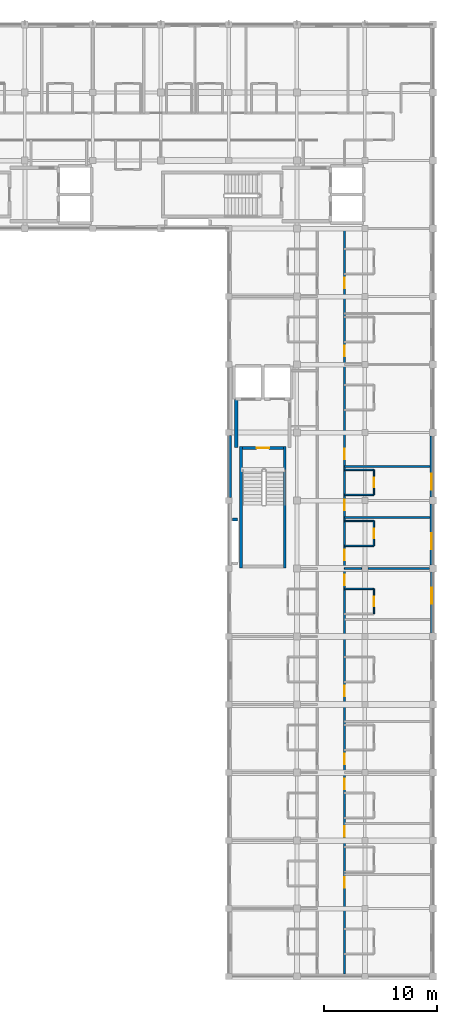
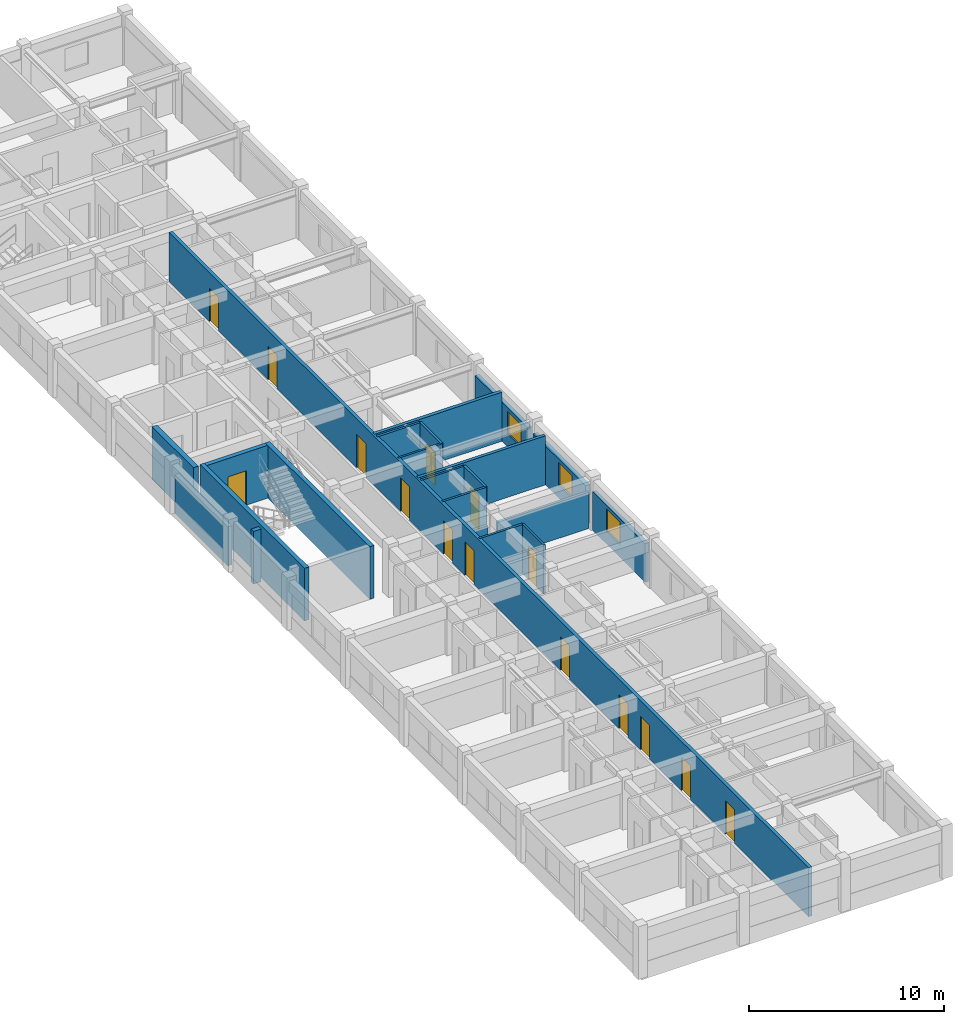
# One storey, part 6 of 21: 22 walls, 15 doors, 3 windows, 18 openings.
"""IFC4 building model written with IfcOpenShell, lengths in metres."""

from ifc_helpers import new_model, si_unit, direction, frame, frame_2d, origin, place, context, subcontext, project, spatial, rectangle, extrude, material, layer, layer_set, type_object, element, fill, save


model = new_model("IFC4")

# Units and contexts
model_context = context("Model", 3, precision=1e-05, world=origin(), true_north=direction((0.0, 1.0)))
body_context = subcontext(model_context, "Body", "Model", "MODEL_VIEW")
ifc_project = project(units=[si_unit("LENGTHUNIT", "METRE"), si_unit("AREAUNIT", "SQUARE_METRE"), si_unit("VOLUMEUNIT", "CUBIC_METRE"), si_unit("PLANEANGLEUNIT", "RADIAN"), si_unit("MASSUNIT", "GRAM", prefix="KILO"), si_unit("THERMODYNAMICTEMPERATUREUNIT", "KELVIN"), si_unit("POWERUNIT", "WATT")], contexts=[model_context])

# Site, building, storey
site_placement = place(None, origin())
site = spatial("IfcSite", under=ifc_project, at=site_placement, CompositionType="ELEMENT")
building_placement = place(site_placement, origin())
building = spatial("IfcBuilding", under=site, at=building_placement, Name="Phaisarnlok Congress Hotel", CompositionType="ELEMENT")
storey_placement = place(building_placement, frame((0.0, 0.0, 34.800048828125)))
storey = spatial("IfcBuildingStorey", under=building, at=storey_placement, Name="L08", CompositionType="ELEMENT", Elevation=34.800048828125)

# Wall, opening, window
ifc_material_1 = material(Name="Concrete C40/50", Category="concrete")
ifc_layer_1 = layer(ifc_material_1, 0.2099609375, Name="Concrete C40/50")
ifc_layer_set_1 = layer_set([ifc_layer_1], Name="Concrete C40/50")
wall_type_1 = type_object("IfcWallType", Name="WL-EXT-210", PredefinedType="SOLIDWALL", material=ifc_layer_set_1)
wall_1_placement = place(storey_placement, frame((179.89501953125, 72.304931640625, 0.0), z_axis=(0.0, 0.0, 1.0), x_axis=(0.0, 1.0, 0.0)))
wall_1 = element("IfcWall", 1, at=wall_1_placement, inside=storey, type_object=wall_type_1, Name="Exterior wall EW-07 (L08)", PredefinedType="SOLIDWALL", context=body_context, shape_type="SweptSolid", body=[
    extrude(rectangle(XDim=5.39013671875, YDim=0.2099609375, at=frame_2d((2.695068359375, 0.0))), origin(), (0.0, 0.0, 1.0), 2.419921875),
])
opening_1_placement = place(wall_1_placement, frame((2.58203125, 0.0, 0.800048828125)))
opening_1 = element("IfcOpeningElement", 2, at=opening_1_placement, cuts=wall_1, Name="Opening W-13", PredefinedType="OPENING", context=body_context, shape_type="SweptSolid", body=[
    extrude(rectangle(XDim=1.39990234375, YDim=1.39990234375, at=frame_2d((0.699951171875, 0.699951171875))), frame((0.0, 0.114990234375, 0.0), z_axis=(0.0, -1.0, 0.0), x_axis=(1.0, 0.0, 0.0)), (0.0, 0.0, 1.0), 0.22998046875),
])
ifc_material_2 = material(Name="Thermally Broken Aluminium & Low-E Double Glazing", Category="aluminium")
window_type = type_object("IfcWindowType", Name="WIN-POD-1400", PartitioningType="SINGLE_PANEL", PredefinedType="WINDOW", material=ifc_material_2)
window_1_placement = place(opening_1_placement, origin())
window_1 = element("IfcWindow", 3, at=window_1_placement, inside=storey, type_object=window_type, Name="Guestroom window W-13 (L08)", OverallHeight=1.39990234375, OverallWidth=1.39990234375, PartitioningType="SINGLE_PANEL", PredefinedType="WINDOW", context=body_context, shape_type="SweptSolid", body=[
    extrude(rectangle(XDim=1.39990234375, YDim=1.39990234375, at=frame_2d((0.699951171875, 0.699951171875))), frame((0.0, 0.030029296875, 0.0), z_axis=(0.0, -1.0, 0.0), x_axis=(1.0, 0.0, 0.0)), (0.0, 0.0, 1.0), 0.06005859375),
])
fill(opening_1, window_1)

ifc_layer_2 = layer(ifc_material_1, 0.25, Name="Concrete C40/50")
ifc_layer_set_2 = layer_set([ifc_layer_2], Name="Concrete C40/50")
wall_type_2 = type_object("IfcWallType", Name="WL-EXT-250", PredefinedType="SOLIDWALL", material=ifc_layer_set_2)
wall_2_placement = place(storey_placement, frame((179.875, 84.304931640625, 0.0), z_axis=(0.0, 0.0, 1.0), x_axis=(0.0, 1.0, 0.0)))
wall_2 = element("IfcWall", 4, at=wall_2_placement, inside=storey, type_object=wall_type_2, Name="Exterior wall EW-05 (L08)", PredefinedType="SOLIDWALL", context=body_context, shape_type="SweptSolid", body=[
    extrude(rectangle(XDim=5.39013671875, YDim=0.25, at=frame_2d((2.695068359375, 0.0))), origin(), (0.0, 0.0, 1.0), 2.419921875),
])
opening_2_placement = place(wall_2_placement, frame((0.656982421875, 0.0, 0.800048828125)))
opening_2 = element("IfcOpeningElement", 5, at=opening_2_placement, cuts=wall_2, Name="Opening W-13", PredefinedType="OPENING", context=body_context, shape_type="SweptSolid", body=[
    extrude(rectangle(XDim=1.39990234375, YDim=1.39990234375, at=frame_2d((0.699951171875, 0.699951171875))), frame((0.0, 0.135009765625, 0.0), z_axis=(0.0, -1.0, 0.0), x_axis=(1.0, 0.0, 0.0)), (0.0, 0.0, 1.0), 0.27001953125),
])
window_2_placement = place(opening_2_placement, origin())
window_2 = element("IfcWindow", 6, at=window_2_placement, inside=storey, type_object=window_type, Name="Guestroom window W-13 (L08)", OverallHeight=1.39990234375, OverallWidth=1.39990234375, PartitioningType="SINGLE_PANEL", PredefinedType="WINDOW", context=body_context, shape_type="SweptSolid", body=[
    extrude(rectangle(XDim=1.39990234375, YDim=1.39990234375, at=frame_2d((0.699951171875, 0.699951171875))), frame((0.0, 0.030029296875, 0.0), z_axis=(0.0, -1.0, 0.0), x_axis=(1.0, 0.0, 0.0)), (0.0, 0.0, 1.0), 0.06005859375),
])
fill(opening_2, window_2)

# Wall
wall_3_placement = place(storey_placement, frame((162.125, 89.719970703125, 0.0), z_axis=(0.0, 0.0, 1.0), x_axis=(0.0, -1.0, 0.0)))
element("IfcWall", 7, at=wall_3_placement, inside=storey, type_object=wall_type_2, Name="Exterior wall EW-05 (L08)", PredefinedType="SOLIDWALL", context=body_context, shape_type="SweptSolid", body=[
    extrude(rectangle(XDim=5.43994140625, YDim=0.25, at=frame_2d((2.719970703125, 0.0))), origin(), (0.0, 0.0, 1.0), 2.419921875),
])

# Wall, opening, window
ifc_layer_3 = layer(ifc_material_1, 0.27001953125, Name="Concrete C40/50")
ifc_layer_set_3 = layer_set([ifc_layer_3], Name="Concrete C40/50")
wall_type_3 = type_object("IfcWallType", Name="WL-EXT-270", PredefinedType="SOLIDWALL", material=ifc_layer_set_3)
wall_4_placement = place(storey_placement, frame((179.864990234375, 78.304931640625, 0.0), z_axis=(0.0, 0.0, 1.0), x_axis=(0.0, 1.0, 0.0)))
wall_4 = element("IfcWall", 8, at=wall_4_placement, inside=storey, type_object=wall_type_3, Name="Exterior wall EW-04 (L08)", PredefinedType="SOLIDWALL", context=body_context, shape_type="SweptSolid", body=[
    extrude(rectangle(XDim=5.39013671875, YDim=0.27001953125, at=frame_2d((2.695068359375, 0.0))), origin(), (0.0, 0.0, 1.0), 2.419921875),
])
opening_3_placement = place(wall_4_placement, frame((1.406982421875, 0.0, 0.800048828125)))
opening_3 = element("IfcOpeningElement", 9, at=opening_3_placement, cuts=wall_4, Name="Opening W-13", PredefinedType="OPENING", context=body_context, shape_type="SweptSolid", body=[
    extrude(rectangle(XDim=1.39990234375, YDim=1.39990234375, at=frame_2d((0.699951171875, 0.699951171875))), frame((0.0, 0.14501953125, 0.0), z_axis=(0.0, -1.0, 0.0), x_axis=(1.0, 0.0, 0.0)), (0.0, 0.0, 1.0), 0.2900390625),
])
window_3_placement = place(opening_3_placement, origin())
window_3 = element("IfcWindow", 10, at=window_3_placement, inside=storey, type_object=window_type, Name="Guestroom window W-13 (L08)", OverallHeight=1.39990234375, OverallWidth=1.39990234375, PartitioningType="SINGLE_PANEL", PredefinedType="WINDOW", context=body_context, shape_type="SweptSolid", body=[
    extrude(rectangle(XDim=1.39990234375, YDim=1.39990234375, at=frame_2d((0.699951171875, 0.699951171875))), frame((0.0, 0.030029296875, 0.0), z_axis=(0.0, -1.0, 0.0), x_axis=(1.0, 0.0, 0.0)), (0.0, 0.0, 1.0), 0.06005859375),
])
fill(opening_3, window_3)

# Wall, opening, door
ifc_material_3 = material(Name="Lightweight Metal-Stud Gypsum Partition", Category="gypsum")
ifc_layer_4 = layer(ifc_material_3, 0.1201171875, Name="Lightweight Metal-Stud Gypsum Partition")
ifc_layer_set_4 = layer_set([ifc_layer_4], Name="Lightweight Metal-Stud Gypsum Partition")
wall_type_4 = type_object("IfcWallType", Name="WL-INT-120", PredefinedType="PARTITIONING", material=ifc_layer_set_4)
wall_5_placement = place(storey_placement, frame((174.800048828125, 74.0, 0.0), z_axis=(0.0, 0.0, 1.0), x_axis=(0.0, 1.0, 0.0)))
wall_5 = element("IfcWall", 11, at=wall_5_placement, inside=storey, type_object=wall_type_4, Name="Interior partition wall IW-07 (L08)", PredefinedType="PARTITIONING", context=body_context, shape_type="SweptSolid", body=[
    extrude(rectangle(XDim=2.199951171875, YDim=0.1201171875, at=frame_2d((1.10009765625, 0.0))), origin(), (0.0, 0.0, 1.0), 3.070068359375),
])
opening_4_placement = place(wall_5_placement, frame((0.675048828125, 0.0, 0.0)))
opening_4 = element("IfcOpeningElement", 12, at=opening_4_placement, cuts=wall_5, Name="Opening D-0457", PredefinedType="OPENING", context=body_context, shape_type="SweptSolid", body=[
    extrude(rectangle(XDim=0.85009765625, YDim=2.10009765625, at=frame_2d((0.425048828125, 1.050048828125))), frame((0.0, 0.070068359375, 0.0), z_axis=(0.0, -1.0, 0.0), x_axis=(1.0, 0.0, 0.0)), (0.0, 0.0, 1.0), 0.14013671875),
])
ifc_material_4 = material(Name="Moisture-Resistant Lacquered Timber", Category="wood")
door_type_1 = type_object("IfcDoorType", Name="DR-BATH-850", OperationType="NOTDEFINED", PredefinedType="DOOR", material=ifc_material_4)
door_1_placement = place(opening_4_placement, origin())
door_1 = element("IfcDoor", 13, at=door_1_placement, inside=storey, type_object=door_type_1, Name="Interior door D-0457 (L08)", OperationType="SINGLE_SWING_RIGHT", OverallHeight=2.10009765625, OverallWidth=0.85009765625, PredefinedType="DOOR", context=body_context, shape_type="SweptSolid", body=[
    extrude(rectangle(XDim=0.85009765625, YDim=2.10009765625, at=frame_2d((0.425048828125, 1.050048828125))), frame((0.0, 0.02490234375, 0.0), z_axis=(0.0, -1.0, 0.0), x_axis=(1.0, 0.0, 0.0)), (0.0, 0.0, 1.0), 0.050048828125),
])
fill(opening_4, door_1)

wall_6_placement = place(storey_placement, frame((174.800048828125, 84.5, 0.0), z_axis=(0.0, 0.0, 1.0), x_axis=(0.0, 1.0, 0.0)))
wall_6 = element("IfcWall", 14, at=wall_6_placement, inside=storey, type_object=wall_type_4, Name="Interior partition wall IW-07 (L08)", PredefinedType="PARTITIONING", context=body_context, shape_type="SweptSolid", body=[
    extrude(rectangle(XDim=2.199951171875, YDim=0.1201171875, at=frame_2d((1.10009765625, 0.0))), origin(), (0.0, 0.0, 1.0), 3.070068359375),
])
opening_5_placement = place(wall_6_placement, frame((0.675048828125, 0.0, 0.0)))
opening_5 = element("IfcOpeningElement", 15, at=opening_5_placement, cuts=wall_6, Name="Opening D-0461", PredefinedType="OPENING", context=body_context, shape_type="SweptSolid", body=[
    extrude(rectangle(XDim=0.85009765625, YDim=2.10009765625, at=frame_2d((0.425048828125, 1.050048828125))), frame((0.0, 0.070068359375, 0.0), z_axis=(0.0, -1.0, 0.0), x_axis=(1.0, 0.0, 0.0)), (0.0, 0.0, 1.0), 0.14013671875),
])
door_2_placement = place(opening_5_placement, origin())
door_2 = element("IfcDoor", 16, at=door_2_placement, inside=storey, type_object=door_type_1, Name="Interior door D-0461 (L08)", OperationType="SINGLE_SWING_RIGHT", OverallHeight=2.10009765625, OverallWidth=0.85009765625, PredefinedType="DOOR", context=body_context, shape_type="SweptSolid", body=[
    extrude(rectangle(XDim=0.85009765625, YDim=2.10009765625, at=frame_2d((0.425048828125, 1.050048828125))), frame((0.0, 0.02490234375, 0.0), z_axis=(0.0, -1.0, 0.0), x_axis=(1.0, 0.0, 0.0)), (0.0, 0.0, 1.0), 0.050048828125),
])
fill(opening_5, door_2)

# Walls
for number, where, z_axis, x_axis, name in (
    (17, (172.199951171875, 82.199951171875, 0.0), (0.0, 0.0, 1.0), (1.0, 0.0, 0.0), "Interior partition wall IW-07 (L08)"),
    (18, (172.199951171875, 84.5, 0.0), (0.0, 0.0, 1.0), (1.0, 0.0, 0.0), "Interior partition wall IW-07 (L08)"),
):
    element("IfcWall", number, at=place(storey_placement, frame(where, z_axis=z_axis, x_axis=x_axis)), inside=storey, type_object=wall_type_4, Name=name, PredefinedType="PARTITIONING", context=body_context, shape_type="SweptSolid", body=[
        extrude(rectangle(XDim=2.60009765625, YDim=0.1201171875, at=frame_2d((1.300048828125, 0.0))), origin(), (0.0, 0.0, 1.0), 3.070068359375),
    ])

# Wall, opening, door
ifc_material_5 = material(Name="Moisture-Resistant Gypsum Partition", Category="gypsum")
ifc_layer_5 = layer(ifc_material_5, 0.135009765625, Name="Moisture-Resistant Gypsum Partition")
ifc_layer_set_5 = layer_set([ifc_layer_5], Name="Moisture-Resistant Gypsum Partition")
wall_type_5 = type_object("IfcWallType", Name="WL-INT-135", PredefinedType="PARTITIONING", material=ifc_layer_set_5)
wall_7_placement = place(storey_placement, frame((174.800048828125, 80.0, 0.0), z_axis=(0.0, 0.0, 1.0), x_axis=(0.0, 1.0, 0.0)))
wall_7 = element("IfcWall", 19, at=wall_7_placement, inside=storey, type_object=wall_type_5, Name="Interior partition wall IW-06 (L08)", PredefinedType="PARTITIONING", context=body_context, shape_type="SweptSolid", body=[
    extrude(rectangle(XDim=2.199951171875, YDim=0.135009765625, at=frame_2d((1.10009765625, 0.0))), origin(), (0.0, 0.0, 1.0), 3.070068359375),
])
opening_6_placement = place(wall_7_placement, frame((0.675048828125, 0.0, 0.0)))
opening_6 = element("IfcOpeningElement", 20, at=opening_6_placement, cuts=wall_7, Name="Opening D-0459", PredefinedType="OPENING", context=body_context, shape_type="SweptSolid", body=[
    extrude(rectangle(XDim=0.85009765625, YDim=2.10009765625, at=frame_2d((0.425048828125, 1.050048828125))), frame((0.0, 0.07763671875, 0.0), z_axis=(0.0, -1.0, 0.0), x_axis=(1.0, 0.0, 0.0)), (0.0, 0.0, 1.0), 0.155029296875),
])
door_3_placement = place(opening_6_placement, origin())
door_3 = element("IfcDoor", 21, at=door_3_placement, inside=storey, type_object=door_type_1, Name="Interior door D-0459 (L08)", OperationType="SINGLE_SWING_RIGHT", OverallHeight=2.10009765625, OverallWidth=0.85009765625, PredefinedType="DOOR", context=body_context, shape_type="SweptSolid", body=[
    extrude(rectangle(XDim=0.85009765625, YDim=2.10009765625, at=frame_2d((0.425048828125, 1.050048828125))), frame((0.0, 0.02490234375, 0.0), z_axis=(0.0, -1.0, 0.0), x_axis=(1.0, 0.0, 0.0)), (0.0, 0.0, 1.0), 0.050048828125),
])
fill(opening_6, door_3)

# Walls
for number, where, z_axis, x_axis, name in (
    (22, (172.199951171875, 76.199951171875, 0.0), (0.0, 0.0, 1.0), (1.0, 0.0, 0.0), "Interior partition wall IW-06 (L08)"),
    (23, (172.199951171875, 80.0, 0.0), (0.0, 0.0, 1.0), (1.0, 0.0, 0.0), "Interior partition wall IW-06 (L08)"),
    (24, (172.199951171875, 86.699951171875, 0.0), (0.0, 0.0, 1.0), (1.0, 0.0, 0.0), "Interior partition wall IW-06 (L08)"),
):
    element("IfcWall", number, at=place(storey_placement, frame(where, z_axis=z_axis, x_axis=x_axis)), inside=storey, type_object=wall_type_5, Name=name, PredefinedType="PARTITIONING", context=body_context, shape_type="SweptSolid", body=[
        extrude(rectangle(XDim=2.60009765625, YDim=0.135009765625, at=frame_2d((1.300048828125, 0.0))), origin(), (0.0, 0.0, 1.0), 3.070068359375),
    ])
ifc_material_6 = material(Name="Acoustic Gypsum Board & Mineral Wool", Category="gypsum")
ifc_layer_6 = layer(ifc_material_6, 0.14990234375, Name="Acoustic Gypsum Board & Mineral Wool")
ifc_layer_set_6 = layer_set([ifc_layer_6], Name="Acoustic Gypsum Board & Mineral Wool")
wall_type_6 = type_object("IfcWallType", Name="WL-INT-150", PredefinedType="PARTITIONING", material=ifc_layer_set_6)
wall_8_placement = place(storey_placement, frame((174.280029296875, 78.0, 0.0), z_axis=(0.0, 0.0, 1.0), x_axis=(1.0, 0.0, 0.0)))
element("IfcWall", 25, at=wall_8_placement, inside=storey, type_object=wall_type_6, Name="Interior partition wall IW-05 (L08)", PredefinedType="PARTITIONING", context=body_context, shape_type="SweptSolid", body=[
    extrude(rectangle(XDim=5.4150390625, YDim=0.14990234375, at=frame_2d((2.70751953125, 0.0))), origin(), (0.0, 0.0, 1.0), 2.27001953125),
])
ifc_material_7 = material(Name="Double-Stud Acoustic Gypsum Partition", Category="gypsum")
ifc_layer_7 = layer(ifc_material_7, 0.159912109375, Name="Double-Stud Acoustic Gypsum Partition")
ifc_layer_set_7 = layer_set([ifc_layer_7], Name="Double-Stud Acoustic Gypsum Partition")
wall_type_7 = type_object("IfcWallType", Name="WL-INT-160", PredefinedType="PARTITIONING", material=ifc_layer_set_7)
wall_9_placement = place(storey_placement, frame((172.199951171875, 78.0, 0.0), z_axis=(0.0, 0.0, 1.0), x_axis=(1.0, 0.0, 0.0)))
element("IfcWall", 26, at=wall_9_placement, inside=storey, type_object=wall_type_7, Name="Interior partition wall IW-04 (L08)", PredefinedType="PARTITIONING", context=body_context, shape_type="SweptSolid", body=[
    extrude(rectangle(XDim=1.52001953125, YDim=0.159912109375, at=frame_2d((0.760009765625, 0.0))), origin(), (0.0, 0.0, 1.0), 2.27001953125),
])
ifc_material_8 = material(Name="Autoclaved Aerated Concrete Block", Category="concrete")
ifc_layer_8 = layer(ifc_material_8, 0.179931640625, Name="Autoclaved Aerated Concrete Block")
ifc_layer_set_8 = layer_set([ifc_layer_8], Name="Autoclaved Aerated Concrete Block")
wall_type_8 = type_object("IfcWallType", Name="WL-INT-180", PredefinedType="PARTITIONING", material=ifc_layer_set_8)
wall_10_placement = place(storey_placement, frame((172.199951171875, 82.5, 0.0), z_axis=(0.0, 0.0, 1.0), x_axis=(1.0, 0.0, 0.0)))
element("IfcWall", 27, at=wall_10_placement, inside=storey, type_object=wall_type_8, Name="Interior partition wall IW-03 (L08)", PredefinedType="PARTITIONING", context=body_context, shape_type="SweptSolid", body=[
    extrude(rectangle(XDim=7.525146484375, YDim=0.179931640625, at=frame_2d((3.7626953125, 0.0))), origin(), (0.0, 0.0, 1.0), 3.070068359375),
])

# Wall, openings, doors
ifc_layer_9 = layer(ifc_material_8, 0.199951171875, Name="Autoclaved Aerated Concrete Block")
ifc_layer_set_9 = layer_set([ifc_layer_9], Name="Autoclaved Aerated Concrete Block")
wall_type_9 = type_object("IfcWallType", Name="WL-INT-200", PredefinedType="PARTITIONING", material=ifc_layer_set_9)
wall_11_placement = place(storey_placement, frame((172.199951171875, 42.235107421875, 0.0), z_axis=(0.0, 0.0, 1.0), x_axis=(0.0, 1.0, 0.0)))
wall_11 = element("IfcWall", 28, at=wall_11_placement, inside=storey, type_object=wall_type_9, Name="Interior partition wall IW-02 (L08)", PredefinedType="PARTITIONING", context=body_context, shape_type="SweptSolid", body=[
    extrude(rectangle(XDim=65.5849609375, YDim=0.199951171875, at=frame_2d((32.79248046875, 0.0))), origin(), (0.0, 0.0, 1.0), 3.070068359375),
])
opening_7_placement = place(wall_11_placement, frame((7.590087890625, 0.0, 0.0)))
opening_7 = element("IfcOpeningElement", 29, at=opening_7_placement, cuts=wall_11, Name="Opening D-0448", PredefinedType="OPENING", context=body_context, shape_type="SweptSolid", body=[
    extrude(rectangle(XDim=0.949951171875, YDim=2.10009765625, at=frame_2d((0.47509765625, 1.050048828125))), frame((0.0, 0.10986328125, 0.0), z_axis=(0.0, -1.0, 0.0), x_axis=(1.0, 0.0, 0.0)), (0.0, 0.0, 1.0), 0.219970703125),
])
opening_8_placement = place(wall_11_placement, frame((12.090087890625, 0.0, 0.0)))
opening_8 = element("IfcOpeningElement", 30, at=opening_8_placement, cuts=wall_11, Name="Opening D-0450", PredefinedType="OPENING", context=body_context, shape_type="SweptSolid", body=[
    extrude(rectangle(XDim=0.949951171875, YDim=2.10009765625, at=frame_2d((0.47509765625, 1.050048828125))), frame((0.0, 0.10986328125, 0.0), z_axis=(0.0, -1.0, 0.0), x_axis=(1.0, 0.0, 0.0)), (0.0, 0.0, 1.0), 0.219970703125),
])
opening_9_placement = place(wall_11_placement, frame((16.2900390625, 0.0, 0.0)))
opening_9 = element("IfcOpeningElement", 31, at=opening_9_placement, cuts=wall_11, Name="Opening D-0452", PredefinedType="OPENING", context=body_context, shape_type="SweptSolid", body=[
    extrude(rectangle(XDim=0.949951171875, YDim=2.10009765625, at=frame_2d((0.47509765625, 1.050048828125))), frame((0.0, 0.10986328125, 0.0), z_axis=(0.0, -1.0, 0.0), x_axis=(1.0, 0.0, 0.0)), (0.0, 0.0, 1.0), 0.219970703125),
])
opening_10_placement = place(wall_11_placement, frame((18.489990234375, 0.0, 0.0)))
opening_10 = element("IfcOpeningElement", 32, at=opening_10_placement, cuts=wall_11, Name="Opening D-0454", PredefinedType="OPENING", context=body_context, shape_type="SweptSolid", body=[
    extrude(rectangle(XDim=0.949951171875, YDim=2.10009765625, at=frame_2d((0.47509765625, 1.050048828125))), frame((0.0, 0.10986328125, 0.0), z_axis=(0.0, -1.0, 0.0), x_axis=(1.0, 0.0, 0.0)), (0.0, 0.0, 1.0), 0.219970703125),
])
opening_11_placement = place(wall_11_placement, frame((24.489990234375, 0.0, 0.0)))
opening_11 = element("IfcOpeningElement", 33, at=opening_11_placement, cuts=wall_11, Name="Opening D-0456", PredefinedType="OPENING", context=body_context, shape_type="SweptSolid", body=[
    extrude(rectangle(XDim=0.949951171875, YDim=2.10009765625, at=frame_2d((0.47509765625, 1.050048828125))), frame((0.0, 0.10986328125, 0.0), z_axis=(0.0, -1.0, 0.0), x_axis=(1.0, 0.0, 0.0)), (0.0, 0.0, 1.0), 0.219970703125),
])
opening_12_placement = place(wall_11_placement, frame((34.2900390625, 0.0, 0.0)))
opening_12 = element("IfcOpeningElement", 34, at=opening_12_placement, cuts=wall_11, Name="Opening D-0458", PredefinedType="OPENING", context=body_context, shape_type="SweptSolid", body=[
    extrude(rectangle(XDim=0.949951171875, YDim=2.10009765625, at=frame_2d((0.47509765625, 1.050048828125))), frame((0.0, 0.10986328125, 0.0), z_axis=(0.0, -1.0, 0.0), x_axis=(1.0, 0.0, 0.0)), (0.0, 0.0, 1.0), 0.219970703125),
])
opening_13_placement = place(wall_11_placement, frame((36.489990234375, 0.0, 0.0)))
opening_13 = element("IfcOpeningElement", 35, at=opening_13_placement, cuts=wall_11, Name="Opening D-0460", PredefinedType="OPENING", context=body_context, shape_type="SweptSolid", body=[
    extrude(rectangle(XDim=0.949951171875, YDim=2.10009765625, at=frame_2d((0.47509765625, 1.050048828125))), frame((0.0, 0.10986328125, 0.0), z_axis=(0.0, -1.0, 0.0), x_axis=(1.0, 0.0, 0.0)), (0.0, 0.0, 1.0), 0.219970703125),
])
opening_14_placement = place(wall_11_placement, frame((40.889892578125, 0.0, 0.0)))
opening_14 = element("IfcOpeningElement", 36, at=opening_14_placement, cuts=wall_11, Name="Opening D-0462", PredefinedType="OPENING", context=body_context, shape_type="SweptSolid", body=[
    extrude(rectangle(XDim=0.949951171875, YDim=2.10009765625, at=frame_2d((0.47509765625, 1.050048828125))), frame((0.0, 0.10986328125, 0.0), z_axis=(0.0, -1.0, 0.0), x_axis=(1.0, 0.0, 0.0)), (0.0, 0.0, 1.0), 0.219970703125),
])
opening_15_placement = place(wall_11_placement, frame((45.389892578125, 0.0, 0.0)))
opening_15 = element("IfcOpeningElement", 37, at=opening_15_placement, cuts=wall_11, Name="Opening D-0464", PredefinedType="OPENING", context=body_context, shape_type="SweptSolid", body=[
    extrude(rectangle(XDim=0.949951171875, YDim=2.10009765625, at=frame_2d((0.47509765625, 1.050048828125))), frame((0.0, 0.10986328125, 0.0), z_axis=(0.0, -1.0, 0.0), x_axis=(1.0, 0.0, 0.0)), (0.0, 0.0, 1.0), 0.219970703125),
])
opening_16_placement = place(wall_11_placement, frame((54.489990234375, 0.0, 0.0)))
opening_16 = element("IfcOpeningElement", 38, at=opening_16_placement, cuts=wall_11, Name="Opening D-0466", PredefinedType="OPENING", context=body_context, shape_type="SweptSolid", body=[
    extrude(rectangle(XDim=0.949951171875, YDim=2.10009765625, at=frame_2d((0.47509765625, 1.050048828125))), frame((0.0, 0.10986328125, 0.0), z_axis=(0.0, -1.0, 0.0), x_axis=(1.0, 0.0, 0.0)), (0.0, 0.0, 1.0), 0.219970703125),
])
opening_17_placement = place(wall_11_placement, frame((60.489990234375, 0.0, 0.0)))
opening_17 = element("IfcOpeningElement", 39, at=opening_17_placement, cuts=wall_11, Name="Opening D-0468", PredefinedType="OPENING", context=body_context, shape_type="SweptSolid", body=[
    extrude(rectangle(XDim=0.949951171875, YDim=2.10009765625, at=frame_2d((0.47509765625, 1.050048828125))), frame((0.0, 0.10986328125, 0.0), z_axis=(0.0, -1.0, 0.0), x_axis=(1.0, 0.0, 0.0)), (0.0, 0.0, 1.0), 0.219970703125),
])
ifc_material_9 = material(Name="Acoustic Solid-Core Teak Veneer", Category="wood")
door_type_2 = type_object("IfcDoorType", Name="DR-FD30-950", OperationType="NOTDEFINED", PredefinedType="DOOR", material=ifc_material_9)
door_4_placement = place(opening_7_placement, origin())
door_4 = element("IfcDoor", 40, at=door_4_placement, inside=storey, type_object=door_type_2, Name="Interior door D-0448 (L08)", OperationType="SINGLE_SWING_LEFT", OverallHeight=2.10009765625, OverallWidth=0.949951171875, PredefinedType="DOOR", context=body_context, shape_type="SweptSolid", body=[
    extrude(rectangle(XDim=0.949951171875, YDim=2.10009765625, at=frame_2d((0.47509765625, 1.050048828125))), frame((0.0, 0.02490234375, 0.0), z_axis=(0.0, -1.0, 0.0), x_axis=(1.0, 0.0, 0.0)), (0.0, 0.0, 1.0), 0.050048828125),
])
fill(opening_7, door_4)
door_5_placement = place(opening_8_placement, origin())
door_5 = element("IfcDoor", 41, at=door_5_placement, inside=storey, type_object=door_type_2, Name="Interior door D-0450 (L08)", OperationType="SINGLE_SWING_LEFT", OverallHeight=2.10009765625, OverallWidth=0.949951171875, PredefinedType="DOOR", context=body_context, shape_type="SweptSolid", body=[
    extrude(rectangle(XDim=0.949951171875, YDim=2.10009765625, at=frame_2d((0.47509765625, 1.050048828125))), frame((0.0, 0.02490234375, 0.0), z_axis=(0.0, -1.0, 0.0), x_axis=(1.0, 0.0, 0.0)), (0.0, 0.0, 1.0), 0.050048828125),
])
fill(opening_8, door_5)
door_6_placement = place(opening_9_placement, origin())
door_6 = element("IfcDoor", 42, at=door_6_placement, inside=storey, type_object=door_type_2, Name="Interior door D-0452 (L08)", OperationType="SINGLE_SWING_LEFT", OverallHeight=2.10009765625, OverallWidth=0.949951171875, PredefinedType="DOOR", context=body_context, shape_type="SweptSolid", body=[
    extrude(rectangle(XDim=0.949951171875, YDim=2.10009765625, at=frame_2d((0.47509765625, 1.050048828125))), frame((0.0, 0.02490234375, 0.0), z_axis=(0.0, -1.0, 0.0), x_axis=(1.0, 0.0, 0.0)), (0.0, 0.0, 1.0), 0.050048828125),
])
fill(opening_9, door_6)
door_7_placement = place(opening_10_placement, origin())
door_7 = element("IfcDoor", 43, at=door_7_placement, inside=storey, type_object=door_type_2, Name="Interior door D-0454 (L08)", OperationType="SINGLE_SWING_LEFT", OverallHeight=2.10009765625, OverallWidth=0.949951171875, PredefinedType="DOOR", context=body_context, shape_type="SweptSolid", body=[
    extrude(rectangle(XDim=0.949951171875, YDim=2.10009765625, at=frame_2d((0.47509765625, 1.050048828125))), frame((0.0, 0.02490234375, 0.0), z_axis=(0.0, -1.0, 0.0), x_axis=(1.0, 0.0, 0.0)), (0.0, 0.0, 1.0), 0.050048828125),
])
fill(opening_10, door_7)
door_8_placement = place(opening_11_placement, origin())
door_8 = element("IfcDoor", 44, at=door_8_placement, inside=storey, type_object=door_type_2, Name="Interior door D-0456 (L08)", OperationType="SINGLE_SWING_LEFT", OverallHeight=2.10009765625, OverallWidth=0.949951171875, PredefinedType="DOOR", context=body_context, shape_type="SweptSolid", body=[
    extrude(rectangle(XDim=0.949951171875, YDim=2.10009765625, at=frame_2d((0.47509765625, 1.050048828125))), frame((0.0, 0.02490234375, 0.0), z_axis=(0.0, -1.0, 0.0), x_axis=(1.0, 0.0, 0.0)), (0.0, 0.0, 1.0), 0.050048828125),
])
fill(opening_11, door_8)
door_9_placement = place(opening_12_placement, origin())
door_9 = element("IfcDoor", 45, at=door_9_placement, inside=storey, type_object=door_type_2, Name="Interior door D-0458 (L08)", OperationType="SINGLE_SWING_LEFT", OverallHeight=2.10009765625, OverallWidth=0.949951171875, PredefinedType="DOOR", context=body_context, shape_type="SweptSolid", body=[
    extrude(rectangle(XDim=0.949951171875, YDim=2.10009765625, at=frame_2d((0.47509765625, 1.050048828125))), frame((0.0, 0.02490234375, 0.0), z_axis=(0.0, -1.0, 0.0), x_axis=(1.0, 0.0, 0.0)), (0.0, 0.0, 1.0), 0.050048828125),
])
fill(opening_12, door_9)
door_10_placement = place(opening_13_placement, origin())
door_10 = element("IfcDoor", 46, at=door_10_placement, inside=storey, type_object=door_type_2, Name="Interior door D-0460 (L08)", OperationType="SINGLE_SWING_LEFT", OverallHeight=2.10009765625, OverallWidth=0.949951171875, PredefinedType="DOOR", context=body_context, shape_type="SweptSolid", body=[
    extrude(rectangle(XDim=0.949951171875, YDim=2.10009765625, at=frame_2d((0.47509765625, 1.050048828125))), frame((0.0, 0.02490234375, 0.0), z_axis=(0.0, -1.0, 0.0), x_axis=(1.0, 0.0, 0.0)), (0.0, 0.0, 1.0), 0.050048828125),
])
fill(opening_13, door_10)
door_11_placement = place(opening_14_placement, origin())
door_11 = element("IfcDoor", 47, at=door_11_placement, inside=storey, type_object=door_type_2, Name="Interior door D-0462 (L08)", OperationType="SINGLE_SWING_LEFT", OverallHeight=2.10009765625, OverallWidth=0.949951171875, PredefinedType="DOOR", context=body_context, shape_type="SweptSolid", body=[
    extrude(rectangle(XDim=0.949951171875, YDim=2.10009765625, at=frame_2d((0.47509765625, 1.050048828125))), frame((0.0, 0.02490234375, 0.0), z_axis=(0.0, -1.0, 0.0), x_axis=(1.0, 0.0, 0.0)), (0.0, 0.0, 1.0), 0.050048828125),
])
fill(opening_14, door_11)
door_12_placement = place(opening_15_placement, origin())
door_12 = element("IfcDoor", 48, at=door_12_placement, inside=storey, type_object=door_type_2, Name="Interior door D-0464 (L08)", OperationType="SINGLE_SWING_LEFT", OverallHeight=2.10009765625, OverallWidth=0.949951171875, PredefinedType="DOOR", context=body_context, shape_type="SweptSolid", body=[
    extrude(rectangle(XDim=0.949951171875, YDim=2.10009765625, at=frame_2d((0.47509765625, 1.050048828125))), frame((0.0, 0.02490234375, 0.0), z_axis=(0.0, -1.0, 0.0), x_axis=(1.0, 0.0, 0.0)), (0.0, 0.0, 1.0), 0.050048828125),
])
fill(opening_15, door_12)
door_13_placement = place(opening_16_placement, origin())
door_13 = element("IfcDoor", 49, at=door_13_placement, inside=storey, type_object=door_type_2, Name="Interior door D-0466 (L08)", OperationType="SINGLE_SWING_LEFT", OverallHeight=2.10009765625, OverallWidth=0.949951171875, PredefinedType="DOOR", context=body_context, shape_type="SweptSolid", body=[
    extrude(rectangle(XDim=0.949951171875, YDim=2.10009765625, at=frame_2d((0.47509765625, 1.050048828125))), frame((0.0, 0.02490234375, 0.0), z_axis=(0.0, -1.0, 0.0), x_axis=(1.0, 0.0, 0.0)), (0.0, 0.0, 1.0), 0.050048828125),
])
fill(opening_16, door_13)
door_14_placement = place(opening_17_placement, origin())
door_14 = element("IfcDoor", 50, at=door_14_placement, inside=storey, type_object=door_type_2, Name="Interior door D-0468 (L08)", OperationType="SINGLE_SWING_LEFT", OverallHeight=2.10009765625, OverallWidth=0.949951171875, PredefinedType="DOOR", context=body_context, shape_type="SweptSolid", body=[
    extrude(rectangle(XDim=0.949951171875, YDim=2.10009765625, at=frame_2d((0.47509765625, 1.050048828125))), frame((0.0, 0.02490234375, 0.0), z_axis=(0.0, -1.0, 0.0), x_axis=(1.0, 0.0, 0.0)), (0.0, 0.0, 1.0), 0.050048828125),
])
fill(opening_17, door_14)

# Walls
wall_12_placement = place(storey_placement, frame((172.199951171875, 87.0, 0.0), z_axis=(0.0, 0.0, 1.0), x_axis=(1.0, 0.0, 0.0)))
element("IfcWall", 51, at=wall_12_placement, inside=storey, type_object=wall_type_9, Name="Interior partition wall IW-02 (L08)", PredefinedType="PARTITIONING", context=body_context, shape_type="SweptSolid", body=[
    extrude(rectangle(XDim=7.545166015625, YDim=0.199951171875, at=frame_2d((3.7724609375, 0.0))), origin(), (0.0, 0.0, 1.0), 3.070068359375),
])
ifc_material_10 = material(Name="Concrete C50/60", Category="concrete")
ifc_layer_10 = layer(ifc_material_10, 0.260009765625, Name="Concrete C50/60")
ifc_layer_set_10 = layer_set([ifc_layer_10], Name="Concrete C50/60")
wall_type_10 = type_object("IfcWallType", Name="WL-SHR-260", PredefinedType="SHEAR", material=ifc_layer_set_10)
for number, where, z_axis, x_axis, name in (
    (52, (163.070068359375, 78.0400390625, 0.0), (0.0, 0.0, 1.0), (0.0, 1.0, 0.0), "Stair shaft shear wall SW-04 (CORE-3 L08)"),
    (53, (166.929931640625, 78.0400390625, 0.0), (0.0, 0.0, 1.0), (0.0, 1.0, 0.0), "Stair shaft shear wall SW-04 (CORE-3 L08)"),
):
    element("IfcWall", number, at=place(storey_placement, frame(where, z_axis=z_axis, x_axis=x_axis)), inside=storey, type_object=wall_type_10, Name=name, PredefinedType="SHEAR", context=body_context, shape_type="SweptSolid", body=[
        extrude(rectangle(XDim=10.719970703125, YDim=0.260009765625, at=frame_2d((5.35986328125, 0.0))), origin(), (0.0, 0.0, 1.0), 3.300048828125),
    ])

# Wall, opening, door
wall_13_placement = place(storey_placement, frame((163.199951171875, 88.6298828125, 0.0), z_axis=(0.0, 0.0, 1.0), x_axis=(1.0, 0.0, 0.0)))
wall_13 = element("IfcWall", 54, at=wall_13_placement, inside=storey, type_object=wall_type_10, Name="Stair shaft shear wall SW-04 (CORE-3 L08)", PredefinedType="SHEAR", context=body_context, shape_type="SweptSolid", body=[
    extrude(rectangle(XDim=3.60009765625, YDim=0.260009765625, at=frame_2d((1.800048828125, 0.0))), origin(), (0.0, 0.0, 1.0), 3.300048828125),
])
opening_18_placement = place(wall_13_placement, frame((1.25, 0.0, 0.0)))
opening_18 = element("IfcOpeningElement", 55, at=opening_18_placement, cuts=wall_13, Name="Opening FD-070", PredefinedType="OPENING", context=body_context, shape_type="SweptSolid", body=[
    extrude(rectangle(XDim=1.10009765625, YDim=2.14990234375, at=frame_2d((0.550048828125, 1.074951171875))), frame((0.0, 0.14013671875, 0.0), z_axis=(0.0, -1.0, 0.0), x_axis=(1.0, 0.0, 0.0)), (0.0, 0.0, 1.0), 0.280029296875),
])
ifc_material_11 = material(Name="Fire-Rated Steel Frame & Timber Leaf", Category="steel")
door_type_3 = type_object("IfcDoorType", Name="DR-FD60-1100", OperationType="NOTDEFINED", PredefinedType="DOOR", material=ifc_material_11)
door_15_placement = place(opening_18_placement, origin())
door_15 = element("IfcDoor", 56, at=door_15_placement, inside=storey, type_object=door_type_3, Name="Stair enclosure fire door FD-070 (L08)", OperationType="SINGLE_SWING_LEFT", OverallHeight=2.14990234375, OverallWidth=1.10009765625, PredefinedType="DOOR", context=body_context, shape_type="SweptSolid", body=[
    extrude(rectangle(XDim=1.10009765625, YDim=2.14990234375, at=frame_2d((0.550048828125, 1.074951171875))), frame((0.0, 0.02490234375, 0.0), z_axis=(0.0, -1.0, 0.0), x_axis=(1.0, 0.0, 0.0)), (0.0, 0.0, 1.0), 0.050048828125),
])
fill(opening_18, door_15)

# Walls
wall_14_placement = place(storey_placement, frame((162.330078125, 82.330078125, 0.0), z_axis=(0.0, 0.0, 1.0), x_axis=(1.0, 0.0, 0.0)))
element("IfcWall", 57, at=wall_14_placement, inside=storey, type_object=wall_type_10, Name="Service riser shaft wall SW-04 (CORE-3 L08)", PredefinedType="SHEAR", context=body_context, shape_type="SweptSolid", body=[
    extrude(rectangle(XDim=0.43994140625, YDim=0.260009765625, at=frame_2d((0.219970703125, 0.0))), origin(), (0.0, 0.0, 1.0), 3.300048828125),
])
ifc_layer_11 = layer(ifc_material_10, 0.300048828125, Name="Concrete C50/60")
ifc_layer_set_11 = layer_set([ifc_layer_11], Name="Concrete C50/60")
wall_type_11 = type_object("IfcWallType", Name="WL-SHR-300", PredefinedType="SHEAR", material=ifc_layer_set_11)
wall_15_placement = place(storey_placement, frame((162.64990234375, 88.679931640625, 0.0), z_axis=(0.0, 0.0, 1.0), x_axis=(0.0, 1.0, 0.0)))
element("IfcWall", 58, at=wall_15_placement, inside=storey, type_object=wall_type_11, Name="Core lobby EI-120 wall SW-03 (CORE-3 L08)", PredefinedType="SHEAR", context=body_context, shape_type="SweptSolid", body=[
    extrude(rectangle(XDim=4.239990234375, YDim=0.300048828125, at=frame_2d((2.1201171875, 0.0))), origin(), (0.0, 0.0, 1.0), 3.300048828125),
])

save(model, "model.ifc")
